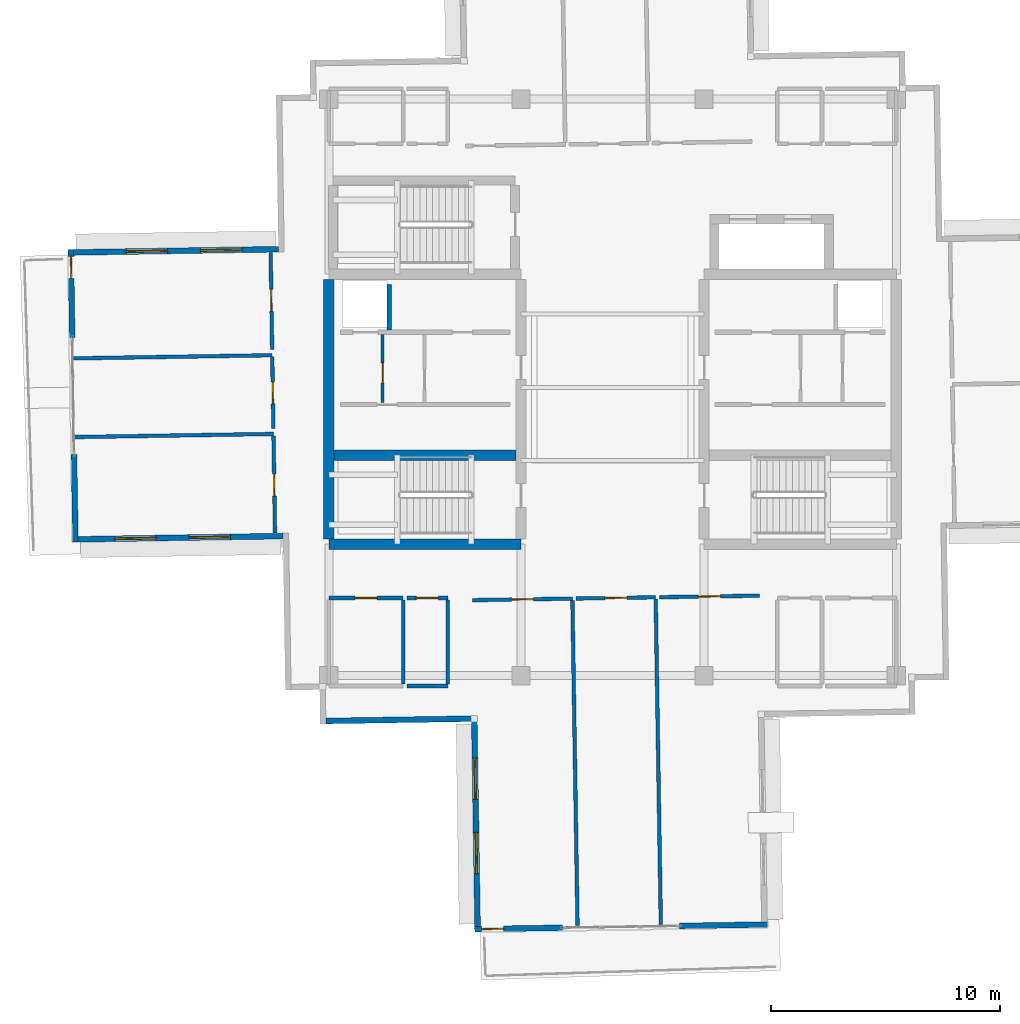
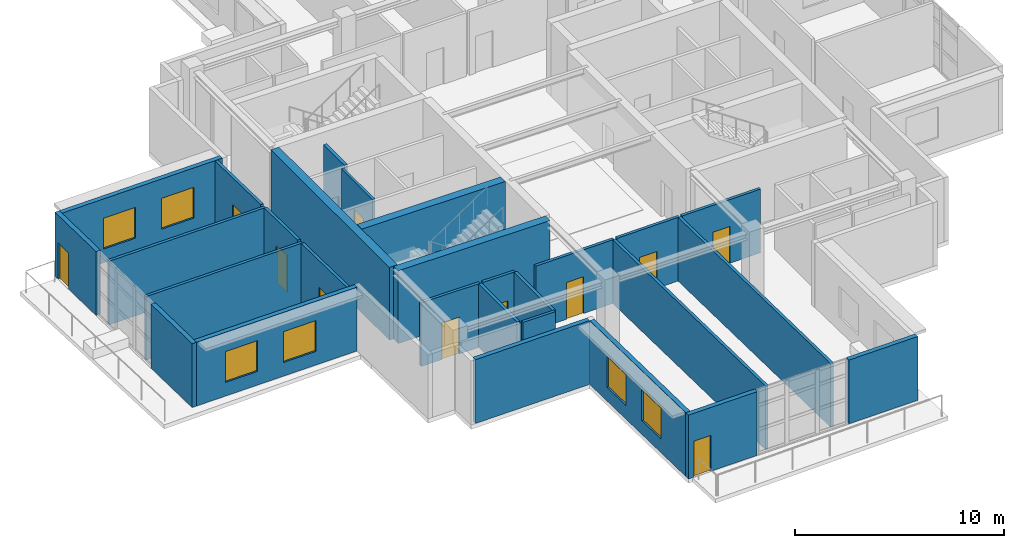
# One storey, part 10 of 18: 28 walls, 11 doors, 6 windows, 17 openings.
"""IFC4 building model written with IfcOpenShell, lengths in metres."""

import ifcopenshell
import ifcopenshell.guid

model = None  # the IFC model being written
_history = None  # IfcOwnerHistory: only IFC2X3 demands one
_inside = {}  # id of a spatial element -> (the spatial element, [elements in it])
_under = {}  # id of a project, library or spatial element -> (it, [spatial elements below it])
_declared = {}  # id of a project -> (the project, [libraries it declares])
_typed = {}  # id of a type object -> (the type object, [elements of that type])
_made_of = {}  # id of a material, layer set ... -> (it, [elements and type objects made of it])


def new_model(schema):
    """Start an empty IFC model of exactly this schema.

    Asked for "IFC4X3", IfcOpenShell would pick the latest addendum, in which some entities
    have other attributes; the version numbers below select the first issue.
    IFC2X3 requires an IfcOwnerHistory on every rooted entity: one is made here for all.
    """
    global model, _history
    if schema == "IFC4X3":
        model = ifcopenshell.file(schema_version=(4, 3, 0, 0))
    else:
        model = ifcopenshell.file(schema=schema)
    _inside.clear()
    _under.clear()
    _declared.clear()
    _typed.clear()
    _made_of.clear()
    _history = None
    if model.schema == "IFC2X3":
        org = make("IfcOrganization", Name="unknown")
        user = make(
            "IfcPersonAndOrganization",
            ThePerson=make("IfcPerson", FamilyName="unknown"),
            TheOrganization=org,
        )
        app = make(
            "IfcApplication",
            ApplicationDeveloper=org,
            Version="unknown",
            ApplicationFullName="unknown",
            ApplicationIdentifier="unknown",
        )
        _history = make(
            "IfcOwnerHistory",
            OwningUser=user,
            OwningApplication=app,
            ChangeAction="ADDED",
            CreationDate=0,
        )
    return model


def make(cls, **values):
    """One entity of the class cls with the attributes given. An attribute that is None is left unset."""
    return model.create_entity(
        cls, **{name: value for name, value in values.items() if value is not None}
    )


def rooted(cls, **values):
    """An entity with a GlobalId (a new one), such as an element, a storey or a relation."""
    return make(cls, GlobalId=ifcopenshell.guid.new(), OwnerHistory=_history, **values)


def si_unit(unit_type, name, prefix=None):
    """IfcSIUnit, for example si_unit("LENGTHUNIT", "METRE", prefix="MILLI")."""
    return make("IfcSIUnit", UnitType=unit_type, Prefix=prefix, Name=name)


def assignment(units):
    """IfcUnitAssignment: the units of a project."""
    return None if units is None else make("IfcUnitAssignment", Units=units)


def point(xyz):
    """IfcCartesianPoint."""
    return None if xyz is None else make("IfcCartesianPoint", Coordinates=xyz)


def direction(xyz):
    """IfcDirection."""
    return None if xyz is None else make("IfcDirection", DirectionRatios=xyz)


def frame(location, z_axis=None, x_axis=None):
    """IfcAxis2Placement3D, a coordinate frame: its origin and axes. An axis left out is left unset."""
    return make(
        "IfcAxis2Placement3D",
        Location=point(location),
        Axis=direction(z_axis),
        RefDirection=direction(x_axis),
    )


def frame_2d(location, x_axis=None):
    """IfcAxis2Placement2D, a coordinate frame in the plane: its origin and x axis."""
    return make(
        "IfcAxis2Placement2D", Location=point(location), RefDirection=direction(x_axis)
    )


def origin():
    """The frame at (0, 0, 0) with its axes left unset."""
    return frame((0.0, 0.0, 0.0))


def place(relative_to, where):
    """IfcLocalPlacement: puts the frame where relative to a parent placement (None: the world)."""
    return make(
        "IfcLocalPlacement", PlacementRelTo=relative_to, RelativePlacement=where
    )


def context(
    kind, dimensions, precision=None, world=None, true_north=None, identifier=None
):
    """IfcGeometricRepresentationContext, for example the 3D "Model" context."""
    return make(
        "IfcGeometricRepresentationContext",
        ContextIdentifier=identifier,
        ContextType=kind,
        CoordinateSpaceDimension=dimensions,
        Precision=precision,
        WorldCoordinateSystem=world,
        TrueNorth=true_north,
    )


def subcontext(parent, identifier, kind, view, scale=None):
    """IfcGeometricRepresentationSubContext, for example "Body" below "Model"."""
    return make(
        "IfcGeometricRepresentationSubContext",
        ContextIdentifier=identifier,
        ContextType=kind,
        ParentContext=parent,
        TargetScale=scale,
        TargetView=view,
    )


def project(units=None, contexts=None):
    """IfcProject with its units and contexts."""
    return rooted(
        "IfcProject",
        Name="project",
        RepresentationContexts=contexts,
        UnitsInContext=assignment(units),
    )


def spatial(cls, under=None, at=None, **own):
    """A site, building, storey or space (cls), placed at a placement, below another one or the project."""
    s = rooted(cls, ObjectPlacement=at, **own)
    if under is not None:
        _under.setdefault(under.id(), (under, []))[1].append(s)
    return s


def profile(cls, at=None, kind="AREA", **sizes):
    """A parametric profile (cls). Its sizes go by their IFC names, for example OverallWidth=200.0."""
    return make(cls, ProfileType=kind, Position=at, **sizes)


def rectangle(**sizes):
    """IfcRectangleProfileDef."""
    return profile("IfcRectangleProfileDef", **sizes)


def extrude(swept, where, along, depth):
    """IfcExtrudedAreaSolid: the profile swept, set in the frame where, extruded along a direction by depth."""
    return make(
        "IfcExtrudedAreaSolid",
        SweptArea=swept,
        Position=where,
        ExtrudedDirection=direction(along),
        Depth=depth,
    )


def shape(context_of_items, identifier, shape_type, items):
    """IfcShapeRepresentation: the items that make up one representation, for example the "Body"."""
    return make(
        "IfcShapeRepresentation",
        ContextOfItems=context_of_items,
        RepresentationIdentifier=identifier,
        RepresentationType=shape_type,
        Items=items,
    )


def material(Name=None, Category=None):
    """IfcMaterial."""
    return make("IfcMaterial", Name=Name, Category=Category)


def layer(
    of_material, thickness, ventilated=None, Name=None, Category=None, Priority=None
):
    """IfcMaterialLayer: one layer of a wall or slab, of a material (None: an air gap)."""
    return make(
        "IfcMaterialLayer",
        Material=of_material,
        LayerThickness=thickness,
        IsVentilated=ventilated,
        Name=Name,
        Category=Category,
        Priority=Priority,
    )


def layer_set(layers, Name=None):
    """IfcMaterialLayerSet."""
    return make("IfcMaterialLayerSet", MaterialLayers=layers, LayerSetName=Name)


def made_of(thing, what):
    """Note that an element or type object is made of a material, layer set ...; save() writes the relation."""
    if what is not None:
        _made_of.setdefault(what.id(), (what, []))[1].append(thing)
    return thing


def type_object(cls, material=None, **own):
    """A type object (cls), such as IfcWallType, which elements share."""
    return made_of(rooted(cls, **own), material)


def element(
    cls,
    number,
    at=None,
    inside=None,
    cuts=None,
    type_object=None,
    material=None,
    context=None,
    identifier="Body",
    shape_type=None,
    held_by="IfcProductDefinitionShape",
    body=None,
    shapes=None,
    **own,
):
    """One element of the class cls, such as IfcWall. Its Tag is "e" and its number.

    at: its placement. inside: the storey or other place that contains it. cuts: it is an
    opening in that element (IfcRelVoidsElement). A single representation is given by context,
    identifier, shape_type and body (its items); several are given by shapes. held_by: the class
    of the entity that holds the representations. save() writes the other relations.
    """
    e = rooted(cls, Tag="e%d" % number, ObjectPlacement=at, **own)
    if body is not None:
        shapes = [shape(context, identifier, shape_type, body)]
    if shapes is not None:
        e.Representation = make(held_by, Representations=shapes)
    if inside is not None:
        _inside.setdefault(inside.id(), (inside, []))[1].append(e)
    if cuts is not None:
        rooted(
            "IfcRelVoidsElement", RelatingBuildingElement=cuts, RelatedOpeningElement=e
        )
    if type_object is not None:
        _typed.setdefault(type_object.id(), (type_object, []))[1].append(e)
    return made_of(e, material)


def fill(opening, filler):
    """IfcRelFillsElement: the door or window that sits in an opening."""
    return rooted(
        "IfcRelFillsElement",
        RelatingOpeningElement=opening,
        RelatedBuildingElement=filler,
    )


def aggregate(whole, parts):
    """IfcRelAggregates: a whole, such as a stair, and the parts it consists of."""
    return rooted("IfcRelAggregates", RelatingObject=whole, RelatedObjects=parts)


def save(model, path):
    """Write the relations noted so far, then the file.

    IfcRelAggregates (storeys below a building ...), IfcRelContainedInSpatialStructure (elements
    in a storey), IfcRelDefinesByType, IfcRelAssociatesMaterial and IfcRelDeclares: one each for
    every whole, place, type object, material and project.
    """
    for whole, parts in _under.values():
        aggregate(whole, parts)
    for where, things in _inside.values():
        rooted(
            "IfcRelContainedInSpatialStructure",
            RelatedElements=things,
            RelatingStructure=where,
        )
    for kind, things in _typed.values():
        rooted("IfcRelDefinesByType", RelatedObjects=things, RelatingType=kind)
    for what, things in _made_of.values():
        rooted("IfcRelAssociatesMaterial", RelatedObjects=things, RelatingMaterial=what)
    for by, libraries in _declared.values():
        rooted("IfcRelDeclares", RelatingContext=by, RelatedDefinitions=libraries)
    model.write(path)


model = new_model("IFC4")

# Units and contexts
model_context = context("Model", 3, precision=1e-05, world=origin(), true_north=direction((0.0, 1.0)))
body_context = subcontext(model_context, "Body", "Model", "MODEL_VIEW")
ifc_project = project(units=[si_unit("LENGTHUNIT", "METRE"), si_unit("AREAUNIT", "SQUARE_METRE"), si_unit("VOLUMEUNIT", "CUBIC_METRE"), si_unit("PLANEANGLEUNIT", "RADIAN"), si_unit("MASSUNIT", "GRAM", prefix="KILO")], contexts=[model_context])

# Site, building, storey
site_placement = place(None, origin())
site = spatial("IfcSite", under=ifc_project, at=site_placement, CompositionType="ELEMENT")
building_placement = place(site_placement, origin())
building = spatial("IfcBuilding", under=site, at=building_placement, Name="Qingluan Cross Belvedere", CompositionType="ELEMENT")
storey_placement = place(building_placement, frame((0.0, 0.0, 303.89990234375)))
storey = spatial("IfcBuildingStorey", under=building, at=storey_placement, Name="L75", CompositionType="ELEMENT", Elevation=303.89990234375)

# Walls
ifc_material_1 = material(Name="Concrete C50", Category="concrete")
ifc_layer_1 = layer(ifc_material_1, 0.449951171875, Name="CoreShearWall_450")
ifc_layer_set_1 = layer_set([ifc_layer_1], Name="Concrete C50")
wall_type_1 = type_object("IfcWallType", Name="CoreShearWall_450", PredefinedType="SHEAR", material=ifc_layer_set_1)
wall_1_placement = place(storey_placement, frame((-12.39990234375, -6.85009765625, 0.0), z_axis=(0.0, 0.0, 1.0), x_axis=(1.0, 0.0, 0.0)))
element("IfcWall", 1, at=wall_1_placement, inside=storey, type_object=wall_type_1, Name="Split core W shear wall L75-S", PredefinedType="SHEAR", context=body_context, shape_type="SweptSolid", body=[
    extrude(rectangle(XDim=8.39990234375, YDim=0.449951171875, at=frame_2d((4.199951171875, 0.0))), origin(), (0.0, 0.0, 1.0), 4.25),
])
wall_2_placement = place(storey_placement, frame((-12.39990234375, -6.6201171875, 0.0), z_axis=(0.0, 0.0, 1.0), x_axis=(0.0, 1.0, 0.0)))
element("IfcWall", 2, at=wall_2_placement, inside=storey, type_object=wall_type_1, Name="Split core W shear wall L75-W", PredefinedType="SHEAR", context=body_context, shape_type="SweptSolid", body=[
    extrude(rectangle(XDim=11.340087890625, YDim=0.449951171875, at=frame_2d((5.669921875, 0.0))), origin(), (0.0, 0.0, 1.0), 4.25),
])
wall_3_placement = place(storey_placement, frame((-12.169921875, -2.9599609375, 0.0), z_axis=(0.0, 0.0, 1.0), x_axis=(1.0, 0.0, 0.0)))
element("IfcWall", 3, at=wall_3_placement, inside=storey, type_object=wall_type_1, Name="Split core W shear wall L75-M", PredefinedType="SHEAR", context=body_context, shape_type="SweptSolid", body=[
    extrude(rectangle(XDim=7.93994140625, YDim=0.449951171875, at=frame_2d((3.969970703125, 0.0))), origin(), (0.0, 0.0, 1.0), 4.25),
])

# Wall, opening, door
ifc_material_2 = material(Name="Gypsum plasterboard on steel stud acoustic partition", Category="steel")
ifc_layer_2 = layer(ifc_material_2, 0.159912109375, Name="CorridorPartition_160")
ifc_layer_set_2 = layer_set([ifc_layer_2], Name="Gypsum plasterboard on steel stud acoustic partition")
wall_type_2 = type_object("IfcWallType", Name="CorridorPartition_160", PredefinedType="PARTITIONING", material=ifc_layer_set_2)
wall_4_placement = place(storey_placement, frame((-10.050048828125, -0.652099609375, 0.0), z_axis=(0.0, 0.0, 1.0), x_axis=(0.0, 1.0, 0.0)))
wall_4 = element("IfcWall", 4, at=wall_4_placement, inside=storey, type_object=wall_type_2, Name="Partition L75:wv", PredefinedType="PARTITIONING", context=body_context, shape_type="SweptSolid", body=[
    extrude(rectangle(XDim=2.962158203125, YDim=0.139892578125, at=frame_2d((1.48095703125, 0.0))), origin(), (0.0, 0.0, 1.0), 3.72021484375),
])
opening_1_placement = place(wall_4_placement, frame((0.85009765625, 0.0, 0.0)))
opening_1 = element("IfcOpeningElement", 5, at=opening_1_placement, cuts=wall_4, Name="Opening FD-B10", PredefinedType="OPENING", context=body_context, shape_type="SweptSolid", body=[
    extrude(rectangle(XDim=0.8798828125, YDim=2.10009765625, at=frame_2d((0.43994140625, 1.050048828125))), frame((0.0, 0.079833984375, 0.0), z_axis=(0.0, -1.0, 0.0), x_axis=(1.0, 0.0, 0.0)), (0.0, 0.0, 1.0), 0.159912109375),
])
ifc_material_3 = material(Name="Steel Class B service fire door", Category="steel")
door_type_1 = type_object("IfcDoorType", Name="RiserServiceFireDoor_FDB", OperationType="NOTDEFINED", PredefinedType="DOOR", material=ifc_material_3)
door_1_placement = place(opening_1_placement, origin())
door_1 = element("IfcDoor", 6, at=door_1_placement, inside=storey, type_object=door_type_1, Name="Service closet inner door L75", OperationType="SINGLE_SWING_RIGHT", OverallHeight=2.10009765625, OverallWidth=0.8798828125, PredefinedType="DOOR", context=body_context, shape_type="SweptSolid", body=[
    extrude(rectangle(XDim=0.8798828125, YDim=2.10009765625, at=frame_2d((0.43994140625, 1.050048828125))), frame((0.0, 0.02490234375, 0.0), z_axis=(0.0, -1.0, 0.0), x_axis=(1.0, 0.0, 0.0)), (0.0, 0.0, 1.0), 0.050048828125),
])
fill(opening_1, door_1)

wall_5_placement = place(storey_placement, frame((-6.124755859375, -9.29736328125, 0.0), z_axis=(0.0, 0.0, 1.0), x_axis=(0.999876762784, 0.015699020525, 0.0)))
wall_5 = element("IfcWall", 7, at=wall_5_placement, inside=storey, type_object=wall_type_2, Name="Partition L75:sr_s1:N", PredefinedType="PARTITIONING", context=body_context, shape_type="SweptSolid", body=[
    extrude(rectangle(XDim=4.369873046875, YDim=0.159912109375, at=frame_2d((2.18505859375, 0.0))), origin(), (0.0, 0.0, 1.0), 3.72021484375),
])
opening_2_placement = place(wall_5_placement, frame((1.705078125, 0.0, 0.0)))
opening_2 = element("IfcOpeningElement", 8, at=opening_2_placement, cuts=wall_5, Name="Opening GD-10", PredefinedType="OPENING", context=body_context, shape_type="SweptSolid", body=[
    extrude(rectangle(XDim=0.9599609375, YDim=2.14990234375, at=frame_2d((0.47998046875, 1.074951171875))), frame((0.0, 0.08984375, 0.0), z_axis=(0.0, -1.0, 0.0), x_axis=(1.0, 0.0, 0.0)), (0.0, 0.0, 1.0), 0.179931640625),
])
ifc_material_4 = material(Name="Timber oak fire-rated acoustic guestroom door", Category="wood")
door_type_2 = type_object("IfcDoorType", Name="GuestEntryDoor_FD60", OperationType="NOTDEFINED", PredefinedType="DOOR", material=ifc_material_4)
door_2_placement = place(opening_2_placement, origin())
door_2 = element("IfcDoor", 9, at=door_2_placement, inside=storey, type_object=door_type_2, Name="Lower Yangtze dining salon A L75 door", OperationType="SINGLE_SWING_LEFT", OverallHeight=2.14990234375, OverallWidth=0.9599609375, PredefinedType="DOOR", context=body_context, shape_type="SweptSolid", body=[
    extrude(rectangle(XDim=0.9599609375, YDim=2.14990234375, at=frame_2d((0.47998046875, 1.074951171875))), frame((0.0, 0.02490234375, 0.0), z_axis=(0.0, -1.0, 0.0), x_axis=(1.0, 0.0, 0.0)), (0.0, 0.0, 1.0), 0.050048828125),
])
fill(opening_2, door_2)

# Wall
wall_6_placement = place(storey_placement, frame((-1.53076171875, -23.52197265625, 0.0), z_axis=(0.0, 0.0, 1.0), x_axis=(-0.015703340364, 0.999876694949, 0.0)))
element("IfcWall", 10, at=wall_6_placement, inside=storey, type_object=wall_type_2, Name="Partition L75:sr_s1:E", PredefinedType="PARTITIONING", context=body_context, shape_type="SweptSolid", body=[
    extrude(rectangle(XDim=14.2099609375, YDim=0.159912109375, at=frame_2d((7.10498046875, 0.0))), origin(), (0.0, 0.0, 1.0), 3.72021484375),
])

# Wall, opening, door
wall_7_placement = place(storey_placement, frame((-1.59521484375, -9.226318359375, 0.0), z_axis=(0.0, 0.0, 1.0), x_axis=(0.999875404533, 0.015785290908, 0.0)))
wall_7 = element("IfcWall", 11, at=wall_7_placement, inside=storey, type_object=wall_type_2, Name="Partition L75:sr_s2:N", PredefinedType="PARTITIONING", context=body_context, shape_type="SweptSolid", body=[
    extrude(rectangle(XDim=3.47998046875, YDim=0.159912109375, at=frame_2d((1.739990234375, 0.0))), origin(), (0.0, 0.0, 1.0), 3.72021484375),
])
opening_3_placement = place(wall_7_placement, frame((1.260009765625, 0.0, 0.0)))
opening_3 = element("IfcOpeningElement", 12, at=opening_3_placement, cuts=wall_7, Name="Opening GD-10", PredefinedType="OPENING", context=body_context, shape_type="SweptSolid", body=[
    extrude(rectangle(XDim=0.9599609375, YDim=2.14990234375, at=frame_2d((0.47998046875, 1.074951171875))), frame((0.0, 0.08984375, 0.0), z_axis=(0.0, -1.0, 0.0), x_axis=(1.0, 0.0, 0.0)), (0.0, 0.0, 1.0), 0.179931640625),
])
door_3_placement = place(opening_3_placement, origin())
door_3 = element("IfcDoor", 13, at=door_3_placement, inside=storey, type_object=door_type_2, Name="Lower Yangtze dining salon B L75 door", OperationType="SINGLE_SWING_RIGHT", OverallHeight=2.14990234375, OverallWidth=0.9599609375, PredefinedType="DOOR", context=body_context, shape_type="SweptSolid", body=[
    extrude(rectangle(XDim=0.9599609375, YDim=2.14990234375, at=frame_2d((0.47998046875, 1.074951171875))), frame((0.0, 0.02490234375, 0.0), z_axis=(0.0, -1.0, 0.0), x_axis=(1.0, 0.0, 0.0)), (0.0, 0.0, 1.0), 0.050048828125),
])
fill(opening_3, door_3)

# Wall
wall_8_placement = place(storey_placement, frame((2.10888671875, -23.46484375, 0.0), z_axis=(0.0, 0.0, 1.0), x_axis=(-0.015720517018, 0.999876425037, 0.0)))
element("IfcWall", 14, at=wall_8_placement, inside=storey, type_object=wall_type_2, Name="Partition L75:sr_s2:E", PredefinedType="PARTITIONING", context=body_context, shape_type="SweptSolid", body=[
    extrude(rectangle(XDim=14.2099609375, YDim=0.159912109375, at=frame_2d((7.10498046875, 0.0))), origin(), (0.0, 0.0, 1.0), 3.72021484375),
])

# Wall, opening, door
wall_9_placement = place(storey_placement, frame((2.044189453125, -9.1689453125, 0.0), z_axis=(0.0, 0.0, 1.0), x_axis=(0.999876776552, 0.015698143603, 0.0)))
wall_9 = element("IfcWall", 15, at=wall_9_placement, inside=storey, type_object=wall_type_2, Name="Partition L75:sr_s3:N", PredefinedType="PARTITIONING", context=body_context, shape_type="SweptSolid", body=[
    extrude(rectangle(XDim=4.3701171875, YDim=0.159912109375, at=frame_2d((2.18505859375, 0.0))), origin(), (0.0, 0.0, 1.0), 3.72021484375),
])
opening_4_placement = place(wall_9_placement, frame((1.705078125, 0.0, 0.0)))
opening_4 = element("IfcOpeningElement", 16, at=opening_4_placement, cuts=wall_9, Name="Opening GD-10", PredefinedType="OPENING", context=body_context, shape_type="SweptSolid", body=[
    extrude(rectangle(XDim=0.9599609375, YDim=2.14990234375, at=frame_2d((0.47998046875, 1.074951171875))), frame((0.0, 0.08984375, 0.0), z_axis=(0.0, -1.0, 0.0), x_axis=(1.0, 0.0, 0.0)), (0.0, 0.0, 1.0), 0.179931640625),
])
door_4_placement = place(opening_4_placement, origin())
door_4 = element("IfcDoor", 17, at=door_4_placement, inside=storey, type_object=door_type_2, Name="Lower Yangtze dining salon C L75 door", OperationType="SINGLE_SWING_LEFT", OverallHeight=2.14990234375, OverallWidth=0.9599609375, PredefinedType="DOOR", context=body_context, shape_type="SweptSolid", body=[
    extrude(rectangle(XDim=0.9599609375, YDim=2.14990234375, at=frame_2d((0.47998046875, 1.074951171875))), frame((0.0, 0.02490234375, 0.0), z_axis=(0.0, -1.0, 0.0), x_axis=(1.0, 0.0, 0.0)), (0.0, 0.0, 1.0), 0.050048828125),
])
fill(opening_4, door_4)

# Wall
wall_10_placement = place(storey_placement, frame((-23.548828125, -2.170166015625, 0.0), z_axis=(0.0, 0.0, 1.0), x_axis=(0.999876486936, 0.015716579562, 0.0)))
element("IfcWall", 18, at=wall_10_placement, inside=storey, type_object=wall_type_2, Name="Partition L75:sr_k1:N", PredefinedType="PARTITIONING", context=body_context, shape_type="SweptSolid", body=[
    extrude(rectangle(XDim=8.72998046875, YDim=0.159912109375, at=frame_2d((4.364990234375, 0.0))), origin(), (0.0, 0.0, 1.0), 3.72021484375),
])

# Wall, opening, door
wall_11_placement = place(storey_placement, frame((-14.751708984375, -6.369384765625, 0.0), z_axis=(0.0, 0.0, 1.0), x_axis=(-0.015732519165, 0.999876236262, 0.0)))
wall_11 = element("IfcWall", 19, at=wall_11_placement, inside=storey, type_object=wall_type_2, Name="Partition L75:sr_k1:E", PredefinedType="PARTITIONING", context=body_context, shape_type="SweptSolid", body=[
    extrude(rectangle(XDim=4.251953125, YDim=0.159912109375, at=frame_2d((2.1259765625, 0.0))), origin(), (0.0, 0.0, 1.0), 3.72021484375),
])
opening_5_placement = place(wall_11_placement, frame((1.6220703125, 0.0, 0.0)))
opening_5 = element("IfcOpeningElement", 20, at=opening_5_placement, cuts=wall_11, Name="Opening GD-10", PredefinedType="OPENING", context=body_context, shape_type="SweptSolid", body=[
    extrude(rectangle(XDim=0.9599609375, YDim=2.14990234375, at=frame_2d((0.47998046875, 1.074951171875))), frame((0.0, 0.08984375, 0.0), z_axis=(0.0, -1.0, 0.0), x_axis=(1.0, 0.0, 0.0)), (0.0, 0.0, 1.0), 0.179931640625),
])
door_5_placement = place(opening_5_placement, origin())
door_5 = element("IfcDoor", 21, at=door_5_placement, inside=storey, type_object=door_type_2, Name="Lower restaurant hot kitchen L75 door", OperationType="SINGLE_SWING_RIGHT", OverallHeight=2.14990234375, OverallWidth=0.9599609375, PredefinedType="DOOR", context=body_context, shape_type="SweptSolid", body=[
    extrude(rectangle(XDim=0.9599609375, YDim=2.14990234375, at=frame_2d((0.47998046875, 1.074951171875))), frame((0.0, 0.02490234375, 0.0), z_axis=(0.0, -1.0, 0.0), x_axis=(1.0, 0.0, 0.0)), (0.0, 0.0, 1.0), 0.050048828125),
])
fill(opening_5, door_5)

# Wall
wall_12_placement = place(storey_placement, frame((-23.602783203125, 1.269287109375, 0.0), z_axis=(0.0, 0.0, 1.0), x_axis=(0.999876486936, 0.015716579562, 0.0)))
element("IfcWall", 22, at=wall_12_placement, inside=storey, type_object=wall_type_2, Name="Partition L75:sr_k2:N", PredefinedType="PARTITIONING", context=body_context, shape_type="SweptSolid", body=[
    extrude(rectangle(XDim=8.72998046875, YDim=0.159912109375, at=frame_2d((4.364990234375, 0.0))), origin(), (0.0, 0.0, 1.0), 3.72021484375),
])

# Wall, opening, door
wall_13_placement = place(storey_placement, frame((-14.82373046875, -1.7880859375, 0.0), z_axis=(0.0, 0.0, 1.0), x_axis=(-0.015700349249, 0.99987674192, 0.0)))
wall_13 = element("IfcWall", 23, at=wall_13_placement, inside=storey, type_object=wall_type_2, Name="Partition L75:sr_k2:E", PredefinedType="PARTITIONING", context=body_context, shape_type="SweptSolid", body=[
    extrude(rectangle(XDim=3.110107421875, YDim=0.159912109375, at=frame_2d((1.55517578125, 0.0))), origin(), (0.0, 0.0, 1.0), 3.72021484375),
])
opening_6_placement = place(wall_13_placement, frame((1.074951171875, 0.0, 0.0)))
opening_6 = element("IfcOpeningElement", 24, at=opening_6_placement, cuts=wall_13, Name="Opening GD-10", PredefinedType="OPENING", context=body_context, shape_type="SweptSolid", body=[
    extrude(rectangle(XDim=0.9599609375, YDim=2.14990234375, at=frame_2d((0.47998046875, 1.074951171875))), frame((0.0, 0.08984375, 0.0), z_axis=(0.0, -1.0, 0.0), x_axis=(1.0, 0.0, 0.0)), (0.0, 0.0, 1.0), 0.179931640625),
])
door_6_placement = place(opening_6_placement, origin())
door_6 = element("IfcDoor", 25, at=door_6_placement, inside=storey, type_object=door_type_2, Name="Lower cold larder kitchen L75 door", OperationType="SINGLE_SWING_LEFT", OverallHeight=2.14990234375, OverallWidth=0.9599609375, PredefinedType="DOOR", context=body_context, shape_type="SweptSolid", body=[
    extrude(rectangle(XDim=0.9599609375, YDim=2.14990234375, at=frame_2d((0.47998046875, 1.074951171875))), frame((0.0, 0.02490234375, 0.0), z_axis=(0.0, -1.0, 0.0), x_axis=(1.0, 0.0, 0.0)), (0.0, 0.0, 1.0), 0.050048828125),
])
fill(opening_6, door_6)

wall_14_placement = place(storey_placement, frame((-14.877685546875, 1.651611328125, 0.0), z_axis=(0.0, 0.0, 1.0), x_axis=(-0.015732519165, 0.999876236262, 0.0)))
wall_14 = element("IfcWall", 26, at=wall_14_placement, inside=storey, type_object=wall_type_2, Name="Partition L75:sr_k3:E", PredefinedType="PARTITIONING", context=body_context, shape_type="SweptSolid", body=[
    extrude(rectangle(XDim=4.251953125, YDim=0.159912109375, at=frame_2d((2.1259765625, 0.0))), origin(), (0.0, 0.0, 1.0), 3.72021484375),
])
opening_7_placement = place(wall_14_placement, frame((1.669921875, 0.0, 0.0)))
opening_7 = element("IfcOpeningElement", 27, at=opening_7_placement, cuts=wall_14, Name="Opening GD-10", PredefinedType="OPENING", context=body_context, shape_type="SweptSolid", body=[
    extrude(rectangle(XDim=0.9599609375, YDim=2.14990234375, at=frame_2d((0.47998046875, 1.074951171875))), frame((0.0, 0.08984375, 0.0), z_axis=(0.0, -1.0, 0.0), x_axis=(1.0, 0.0, 0.0)), (0.0, 0.0, 1.0), 0.179931640625),
])
door_7_placement = place(opening_7_placement, origin())
door_7 = element("IfcDoor", 28, at=door_7_placement, inside=storey, type_object=door_type_2, Name="Lower pastry servery pantry L75 door", OperationType="SINGLE_SWING_RIGHT", OverallHeight=2.14990234375, OverallWidth=0.9599609375, PredefinedType="DOOR", context=body_context, shape_type="SweptSolid", body=[
    extrude(rectangle(XDim=0.9599609375, YDim=2.14990234375, at=frame_2d((0.47998046875, 1.074951171875))), frame((0.0, 0.02490234375, 0.0), z_axis=(0.0, -1.0, 0.0), x_axis=(1.0, 0.0, 0.0)), (0.0, 0.0, 1.0), 0.050048828125),
])
fill(opening_7, door_7)

wall_15_placement = place(storey_placement, frame((-12.39990234375, -9.199951171875, 0.0), z_axis=(0.0, 0.0, 1.0), x_axis=(1.0, 0.0, 0.0)))
wall_15 = element("IfcWall", 29, at=wall_15_placement, inside=storey, type_object=wall_type_2, Name="Partition L75:crown_sw1:N", PredefinedType="PARTITIONING", context=body_context, shape_type="SweptSolid", body=[
    extrude(rectangle(XDim=3.25, YDim=0.159912109375, at=frame_2d((1.625, 0.0))), origin(), (0.0, 0.0, 1.0), 3.72021484375),
])
opening_8_placement = place(wall_15_placement, frame((1.14501953125, 0.0, 0.0)))
opening_8 = element("IfcOpeningElement", 30, at=opening_8_placement, cuts=wall_15, Name="Opening GD-10", PredefinedType="OPENING", context=body_context, shape_type="SweptSolid", body=[
    extrude(rectangle(XDim=0.9599609375, YDim=2.14990234375, at=frame_2d((0.47998046875, 1.074951171875))), frame((0.0, 0.08984375, 0.0), z_axis=(0.0, -1.0, 0.0), x_axis=(1.0, 0.0, 0.0)), (0.0, 0.0, 1.0), 0.179931640625),
])
door_8_placement = place(opening_8_placement, origin())
door_8 = element("IfcDoor", 31, at=door_8_placement, inside=storey, type_object=door_type_2, Name="Lower private dining suite W L75 door", OperationType="SINGLE_SWING_LEFT", OverallHeight=2.14990234375, OverallWidth=0.9599609375, PredefinedType="DOOR", context=body_context, shape_type="SweptSolid", body=[
    extrude(rectangle(XDim=0.9599609375, YDim=2.14990234375, at=frame_2d((0.47998046875, 1.074951171875))), frame((0.0, 0.02490234375, 0.0), z_axis=(0.0, -1.0, 0.0), x_axis=(1.0, 0.0, 0.0)), (0.0, 0.0, 1.0), 0.050048828125),
])
fill(opening_8, door_8)

# Walls
wall_16_placement = place(storey_placement, frame((-9.14990234375, -12.965087890625, 0.0), z_axis=(0.0, 0.0, 1.0), x_axis=(0.0, 1.0, 0.0)))
element("IfcWall", 32, at=wall_16_placement, inside=storey, type_object=wall_type_2, Name="Partition L75:crown_sw1:E", PredefinedType="PARTITIONING", context=body_context, shape_type="SweptSolid", body=[
    extrude(rectangle(XDim=3.68017578125, YDim=0.159912109375, at=frame_2d((1.840087890625, 0.0))), origin(), (0.0, 0.0, 1.0), 3.72021484375),
])
wall_17_placement = place(storey_placement, frame((-8.989990234375, -13.050048828125, 0.0), z_axis=(0.0, 0.0, 1.0), x_axis=(1.0, 0.0, 0.0)))
element("IfcWall", 33, at=wall_17_placement, inside=storey, type_object=wall_type_2, Name="Partition L75:crown_sw2:S", PredefinedType="PARTITIONING", context=body_context, shape_type="SweptSolid", body=[
    extrude(rectangle(XDim=1.7900390625, YDim=0.159912109375, at=frame_2d((0.89501953125, 0.0))), origin(), (0.0, 0.0, 1.0), 3.72021484375),
])

# Wall, opening, door
wall_18_placement = place(storey_placement, frame((-8.989990234375, -9.199951171875, 0.0), z_axis=(0.0, 0.0, 1.0), x_axis=(1.0, 0.0, 0.0)))
wall_18 = element("IfcWall", 34, at=wall_18_placement, inside=storey, type_object=wall_type_2, Name="Partition L75:crown_sw2:N", PredefinedType="PARTITIONING", context=body_context, shape_type="SweptSolid", body=[
    extrude(rectangle(XDim=1.7900390625, YDim=0.159912109375, at=frame_2d((0.89501953125, 0.0))), origin(), (0.0, 0.0, 1.0), 3.72021484375),
])
opening_9_placement = place(wall_18_placement, frame((0.4150390625, 0.0, 0.0)))
opening_9 = element("IfcOpeningElement", 35, at=opening_9_placement, cuts=wall_18, Name="Opening GD-10", PredefinedType="OPENING", context=body_context, shape_type="SweptSolid", body=[
    extrude(rectangle(XDim=0.9599609375, YDim=2.14990234375, at=frame_2d((0.47998046875, 1.074951171875))), frame((0.0, 0.08984375, 0.0), z_axis=(0.0, -1.0, 0.0), x_axis=(1.0, 0.0, 0.0)), (0.0, 0.0, 1.0), 0.179931640625),
])
door_9_placement = place(opening_9_placement, origin())
door_9 = element("IfcDoor", 36, at=door_9_placement, inside=storey, type_object=door_type_2, Name="Lower private dining suite C L75 door", OperationType="SINGLE_SWING_RIGHT", OverallHeight=2.14990234375, OverallWidth=0.9599609375, PredefinedType="DOOR", context=body_context, shape_type="SweptSolid", body=[
    extrude(rectangle(XDim=0.9599609375, YDim=2.14990234375, at=frame_2d((0.47998046875, 1.074951171875))), frame((0.0, 0.02490234375, 0.0), z_axis=(0.0, -1.0, 0.0), x_axis=(1.0, 0.0, 0.0)), (0.0, 0.0, 1.0), 0.050048828125),
])
fill(opening_9, door_9)

# Wall
wall_19_placement = place(storey_placement, frame((-7.199951171875, -12.965087890625, 0.0), z_axis=(0.0, 0.0, 1.0), x_axis=(0.0, 1.0, 0.0)))
element("IfcWall", 37, at=wall_19_placement, inside=storey, type_object=wall_type_2, Name="Partition L75:crown_sw2:E", PredefinedType="PARTITIONING", context=body_context, shape_type="SweptSolid", body=[
    extrude(rectangle(XDim=3.68017578125, YDim=0.159912109375, at=frame_2d((1.840087890625, 0.0))), origin(), (0.0, 0.0, 1.0), 3.72021484375),
])

# Wall, openings, windows
ifc_material_5 = material(Name="Precast concrete C45", Category="concrete")
ifc_layer_3 = layer(ifc_material_5, 0.25, Name="PrecastCrownWall_250")
ifc_layer_set_3 = layer_set([ifc_layer_3], Name="Precast concrete C45")
wall_type_3 = type_object("IfcWallType", Name="PrecastCrownWall_250", PredefinedType="STANDARD", material=ifc_layer_set_3)
wall_20_placement = place(storey_placement, frame((-14.601806640625, 6.04150390625, 0.0), z_axis=(0.0, 0.0, 1.0), x_axis=(-0.999876549801, -0.015712579601, 0.0)))
wall_20 = element("IfcWall", 38, at=wall_20_placement, inside=storey, type_object=wall_type_3, Name="Facade wall L75-WA", PredefinedType="STANDARD", context=body_context, shape_type="SweptSolid", body=[
    extrude(rectangle(XDim=8.949951171875, YDim=0.25, at=frame_2d((4.47509765625, 0.0))), origin(), (0.0, 0.0, 1.0), 3.72998046875),
])
opening_10_placement = place(wall_20_placement, frame((1.60009765625, 0.0, 0.800048828125)))
opening_10 = element("IfcOpeningElement", 39, at=opening_10_placement, cuts=wall_20, Name="Opening W-05", PredefinedType="OPENING", context=body_context, shape_type="SweptSolid", body=[
    extrude(rectangle(XDim=1.800048828125, YDim=1.800048828125, at=frame_2d((0.89990234375, 0.89990234375))), frame((0.0, 0.135009765625, 0.0), z_axis=(0.0, -1.0, 0.0), x_axis=(1.0, 0.0, 0.0)), (0.0, 0.0, 1.0), 0.27001953125),
])
opening_11_placement = place(wall_20_placement, frame((4.85009765625, 0.0, 0.800048828125)))
opening_11 = element("IfcOpeningElement", 40, at=opening_11_placement, cuts=wall_20, Name="Opening W-05", PredefinedType="OPENING", context=body_context, shape_type="SweptSolid", body=[
    extrude(rectangle(XDim=1.800048828125, YDim=1.800048828125, at=frame_2d((0.89990234375, 0.89990234375))), frame((0.0, 0.135009765625, 0.0), z_axis=(0.0, -1.0, 0.0), x_axis=(1.0, 0.0, 0.0)), (0.0, 0.0, 1.0), 0.27001953125),
])
ifc_material_6 = material(Name="Thermally broken triple Low-E glass in aluminium frame", Category="aluminium")
window_type = type_object("IfcWindowType", Name="CrownBelvedereWin_1800x1800", PartitioningType="SINGLE_PANEL", PredefinedType="WINDOW", material=ifc_material_6)
window_1_placement = place(opening_10_placement, origin())
window_1 = element("IfcWindow", 41, at=window_1_placement, inside=storey, type_object=window_type, Name="Ribbon window L75-WA-1", OverallHeight=1.800048828125, OverallWidth=1.800048828125, PartitioningType="SINGLE_PANEL", PredefinedType="WINDOW", context=body_context, shape_type="SweptSolid", body=[
    extrude(rectangle(XDim=1.800048828125, YDim=1.800048828125, at=frame_2d((0.89990234375, 0.89990234375))), frame((0.0, 0.030029296875, 0.0), z_axis=(0.0, -1.0, 0.0), x_axis=(1.0, 0.0, 0.0)), (0.0, 0.0, 1.0), 0.06005859375),
])
fill(opening_10, window_1)
window_2_placement = place(opening_11_placement, origin())
window_2 = element("IfcWindow", 42, at=window_2_placement, inside=storey, type_object=window_type, Name="Ribbon window L75-WA-2", OverallHeight=1.800048828125, OverallWidth=1.800048828125, PartitioningType="SINGLE_PANEL", PredefinedType="WINDOW", context=body_context, shape_type="SweptSolid", body=[
    extrude(rectangle(XDim=1.800048828125, YDim=1.800048828125, at=frame_2d((0.89990234375, 0.89990234375))), frame((0.0, 0.030029296875, 0.0), z_axis=(0.0, -1.0, 0.0), x_axis=(1.0, 0.0, 0.0)), (0.0, 0.0, 1.0), 0.06005859375),
])
fill(opening_11, window_2)

wall_21_placement = place(storey_placement, frame((-23.353515625, -6.6376953125, 0.0), z_axis=(0.0, 0.0, 1.0), x_axis=(0.999876549801, 0.015712579601, 0.0)))
wall_21 = element("IfcWall", 43, at=wall_21_placement, inside=storey, type_object=wall_type_3, Name="Facade wall L75-WB", PredefinedType="STANDARD", context=body_context, shape_type="SweptSolid", body=[
    extrude(rectangle(XDim=8.949951171875, YDim=0.25, at=frame_2d((4.47509765625, 0.0))), origin(), (0.0, 0.0, 1.0), 3.72998046875),
])
opening_12_placement = place(wall_21_placement, frame((1.60009765625, 0.0, 0.800048828125)))
opening_12 = element("IfcOpeningElement", 44, at=opening_12_placement, cuts=wall_21, Name="Opening W-05", PredefinedType="OPENING", context=body_context, shape_type="SweptSolid", body=[
    extrude(rectangle(XDim=1.800048828125, YDim=1.800048828125, at=frame_2d((0.89990234375, 0.89990234375))), frame((0.0, 0.135009765625, 0.0), z_axis=(0.0, -1.0, 0.0), x_axis=(1.0, 0.0, 0.0)), (0.0, 0.0, 1.0), 0.27001953125),
])
opening_13_placement = place(wall_21_placement, frame((4.85009765625, 0.0, 0.800048828125)))
opening_13 = element("IfcOpeningElement", 45, at=opening_13_placement, cuts=wall_21, Name="Opening W-05", PredefinedType="OPENING", context=body_context, shape_type="SweptSolid", body=[
    extrude(rectangle(XDim=1.800048828125, YDim=1.800048828125, at=frame_2d((0.89990234375, 0.89990234375))), frame((0.0, 0.135009765625, 0.0), z_axis=(0.0, -1.0, 0.0), x_axis=(1.0, 0.0, 0.0)), (0.0, 0.0, 1.0), 0.27001953125),
])
window_3_placement = place(opening_12_placement, origin())
window_3 = element("IfcWindow", 46, at=window_3_placement, inside=storey, type_object=window_type, Name="Ribbon window L75-WB-1", OverallHeight=1.800048828125, OverallWidth=1.800048828125, PartitioningType="SINGLE_PANEL", PredefinedType="WINDOW", context=body_context, shape_type="SweptSolid", body=[
    extrude(rectangle(XDim=1.800048828125, YDim=1.800048828125, at=frame_2d((0.89990234375, 0.89990234375))), frame((0.0, 0.030029296875, 0.0), z_axis=(0.0, -1.0, 0.0), x_axis=(1.0, 0.0, 0.0)), (0.0, 0.0, 1.0), 0.06005859375),
])
fill(opening_12, window_3)
window_4_placement = place(opening_13_placement, origin())
window_4 = element("IfcWindow", 47, at=window_4_placement, inside=storey, type_object=window_type, Name="Ribbon window L75-WB-2", OverallHeight=1.800048828125, OverallWidth=1.800048828125, PartitioningType="SINGLE_PANEL", PredefinedType="WINDOW", context=body_context, shape_type="SweptSolid", body=[
    extrude(rectangle(XDim=1.800048828125, YDim=1.800048828125, at=frame_2d((0.89990234375, 0.89990234375))), frame((0.0, 0.030029296875, 0.0), z_axis=(0.0, -1.0, 0.0), x_axis=(1.0, 0.0, 0.0)), (0.0, 0.0, 1.0), 0.06005859375),
])
fill(opening_13, window_4)

# Wall, opening, door
wall_22_placement = place(storey_placement, frame((-23.677490234375, 6.023681640625, 0.0), z_axis=(0.0, 0.0, 1.0), x_axis=(0.015716526186, -0.999876487775, 0.0)))
wall_22 = element("IfcWall", 48, at=wall_22_placement, inside=storey, type_object=wall_type_3, Name="Terrace portal jamb wall L75-W1", PredefinedType="STANDARD", context=body_context, shape_type="SweptSolid", body=[
    extrude(rectangle(XDim=3.8369140625, YDim=0.25, at=frame_2d((1.91845703125, 0.0))), origin(), (0.0, 0.0, 1.0), 3.72998046875),
])
opening_14_placement = place(wall_22_placement, frame((0.300048828125, 0.0, 0.0)))
opening_14 = element("IfcOpeningElement", 49, at=opening_14_placement, cuts=wall_22, Name="Opening TD-10", PredefinedType="OPENING", context=body_context, shape_type="SweptSolid", body=[
    extrude(rectangle(XDim=0.9599609375, YDim=2.10009765625, at=frame_2d((0.47998046875, 1.050048828125))), frame((0.0, 0.135009765625, 0.0), z_axis=(0.0, -1.0, 0.0), x_axis=(1.0, 0.0, 0.0)), (0.0, 0.0, 1.0), 0.27001953125),
])
ifc_material_7 = material(Name="Thermally broken aluminium and Low-E glass", Category="aluminium")
door_type_3 = type_object("IfcDoorType", Name="SetbackTerraceDoor_096", OperationType="NOTDEFINED", PredefinedType="DOOR", material=ifc_material_7)
door_10_placement = place(opening_14_placement, origin())
door_10 = element("IfcDoor", 50, at=door_10_placement, inside=storey, type_object=door_type_3, Name="Outdoor terrace access door L75-set2", OperationType="SINGLE_SWING_RIGHT", OverallHeight=2.10009765625, OverallWidth=0.9599609375, PredefinedType="DOOR", context=body_context, shape_type="SweptSolid", body=[
    extrude(rectangle(XDim=0.9599609375, YDim=2.10009765625, at=frame_2d((0.47998046875, 1.050048828125))), frame((0.0, 0.02490234375, 0.0), z_axis=(0.0, -1.0, 0.0), x_axis=(1.0, 0.0, 0.0)), (0.0, 0.0, 1.0), 0.050048828125),
])
fill(opening_14, door_10)

# Wall
wall_23_placement = place(storey_placement, frame((-23.536865234375, -2.927978515625, 0.0), z_axis=(0.0, 0.0, 1.0), x_axis=(0.015715526335, -0.99987650349, 0.0)))
element("IfcWall", 51, at=wall_23_placement, inside=storey, type_object=wall_type_3, Name="Terrace portal jamb wall L75-W2", PredefinedType="STANDARD", context=body_context, shape_type="SweptSolid", body=[
    extrude(rectangle(XDim=3.837158203125, YDim=0.25, at=frame_2d((1.91845703125, 0.0))), origin(), (0.0, 0.0, 1.0), 3.72998046875),
])

# Wall, openings, windows
wall_24_placement = place(storey_placement, frame((-6.04150390625, -14.601806640625, 0.0), z_axis=(0.0, 0.0, 1.0), x_axis=(0.015712579601, -0.999876549801, 0.0)))
wall_24 = element("IfcWall", 52, at=wall_24_placement, inside=storey, type_object=wall_type_3, Name="Facade wall L75-SA", PredefinedType="STANDARD", context=body_context, shape_type="SweptSolid", body=[
    extrude(rectangle(XDim=8.949951171875, YDim=0.25, at=frame_2d((4.47509765625, 0.0))), origin(), (0.0, 0.0, 1.0), 3.72998046875),
])
opening_15_placement = place(wall_24_placement, frame((1.60009765625, 0.0, 0.800048828125)))
opening_15 = element("IfcOpeningElement", 53, at=opening_15_placement, cuts=wall_24, Name="Opening W-05", PredefinedType="OPENING", context=body_context, shape_type="SweptSolid", body=[
    extrude(rectangle(XDim=1.800048828125, YDim=1.800048828125, at=frame_2d((0.89990234375, 0.89990234375))), frame((0.0, 0.135009765625, 0.0), z_axis=(0.0, -1.0, 0.0), x_axis=(1.0, 0.0, 0.0)), (0.0, 0.0, 1.0), 0.27001953125),
])
opening_16_placement = place(wall_24_placement, frame((4.85009765625, 0.0, 0.800048828125)))
opening_16 = element("IfcOpeningElement", 54, at=opening_16_placement, cuts=wall_24, Name="Opening W-05", PredefinedType="OPENING", context=body_context, shape_type="SweptSolid", body=[
    extrude(rectangle(XDim=1.800048828125, YDim=1.800048828125, at=frame_2d((0.89990234375, 0.89990234375))), frame((0.0, 0.135009765625, 0.0), z_axis=(0.0, -1.0, 0.0), x_axis=(1.0, 0.0, 0.0)), (0.0, 0.0, 1.0), 0.27001953125),
])
window_5_placement = place(opening_15_placement, origin())
window_5 = element("IfcWindow", 55, at=window_5_placement, inside=storey, type_object=window_type, Name="Ribbon window L75-SA-1", OverallHeight=1.800048828125, OverallWidth=1.800048828125, PartitioningType="SINGLE_PANEL", PredefinedType="WINDOW", context=body_context, shape_type="SweptSolid", body=[
    extrude(rectangle(XDim=1.800048828125, YDim=1.800048828125, at=frame_2d((0.89990234375, 0.89990234375))), frame((0.0, 0.030029296875, 0.0), z_axis=(0.0, -1.0, 0.0), x_axis=(1.0, 0.0, 0.0)), (0.0, 0.0, 1.0), 0.06005859375),
])
fill(opening_15, window_5)
window_6_placement = place(opening_16_placement, origin())
window_6 = element("IfcWindow", 56, at=window_6_placement, inside=storey, type_object=window_type, Name="Ribbon window L75-SA-2", OverallHeight=1.800048828125, OverallWidth=1.800048828125, PartitioningType="SINGLE_PANEL", PredefinedType="WINDOW", context=body_context, shape_type="SweptSolid", body=[
    extrude(rectangle(XDim=1.800048828125, YDim=1.800048828125, at=frame_2d((0.89990234375, 0.89990234375))), frame((0.0, 0.030029296875, 0.0), z_axis=(0.0, -1.0, 0.0), x_axis=(1.0, 0.0, 0.0)), (0.0, 0.0, 1.0), 0.06005859375),
])
fill(opening_16, window_6)

# Wall, opening, door
wall_25_placement = place(storey_placement, frame((-6.023681640625, -23.677490234375, 0.0), z_axis=(0.0, 0.0, 1.0), x_axis=(0.999876487775, 0.015716526186, 0.0)))
wall_25 = element("IfcWall", 57, at=wall_25_placement, inside=storey, type_object=wall_type_3, Name="Terrace portal jamb wall L75-S1", PredefinedType="STANDARD", context=body_context, shape_type="SweptSolid", body=[
    extrude(rectangle(XDim=3.8369140625, YDim=0.25, at=frame_2d((1.91845703125, 0.0))), origin(), (0.0, 0.0, 1.0), 3.72998046875),
])
opening_17_placement = place(wall_25_placement, frame((0.300048828125, 0.0, 0.0)))
opening_17 = element("IfcOpeningElement", 58, at=opening_17_placement, cuts=wall_25, Name="Opening TD-10", PredefinedType="OPENING", context=body_context, shape_type="SweptSolid", body=[
    extrude(rectangle(XDim=0.9599609375, YDim=2.10009765625, at=frame_2d((0.47998046875, 1.050048828125))), frame((0.0, 0.135009765625, 0.0), z_axis=(0.0, -1.0, 0.0), x_axis=(1.0, 0.0, 0.0)), (0.0, 0.0, 1.0), 0.27001953125),
])
door_11_placement = place(opening_17_placement, origin())
door_11 = element("IfcDoor", 59, at=door_11_placement, inside=storey, type_object=door_type_3, Name="Outdoor terrace access door L75-set3", OperationType="SINGLE_SWING_LEFT", OverallHeight=2.10009765625, OverallWidth=0.9599609375, PredefinedType="DOOR", context=body_context, shape_type="SweptSolid", body=[
    extrude(rectangle(XDim=0.9599609375, YDim=2.10009765625, at=frame_2d((0.47998046875, 1.050048828125))), frame((0.0, 0.02490234375, 0.0), z_axis=(0.0, -1.0, 0.0), x_axis=(1.0, 0.0, 0.0)), (0.0, 0.0, 1.0), 0.050048828125),
])
fill(opening_17, door_11)

# Walls
wall_26_placement = place(storey_placement, frame((2.927978515625, -23.536865234375, 0.0), z_axis=(0.0, 0.0, 1.0), x_axis=(0.99987650349, 0.015715526335, 0.0)))
element("IfcWall", 60, at=wall_26_placement, inside=storey, type_object=wall_type_3, Name="Terrace portal jamb wall L75-S2", PredefinedType="STANDARD", context=body_context, shape_type="SweptSolid", body=[
    extrude(rectangle(XDim=3.837158203125, YDim=0.25, at=frame_2d((1.91845703125, 0.0))), origin(), (0.0, 0.0, 1.0), 3.72998046875),
])
wall_27_placement = place(storey_placement, frame((-12.527587890625, -14.57861328125, 0.0), z_axis=(0.0, 0.0, 1.0), x_axis=(0.999876749821, 0.015699846079, 0.0)))
element("IfcWall", 61, at=wall_27_placement, inside=storey, type_object=wall_type_3, Name="Corner wall L75-SW4", PredefinedType="STANDARD", context=body_context, shape_type="SweptSolid", body=[
    extrude(rectangle(XDim=6.360107421875, YDim=0.25, at=frame_2d((3.18017578125, 0.0))), origin(), (0.0, 0.0, 1.0), 3.72998046875),
])
ifc_material_8 = material(Name="Concrete C40", Category="concrete")
ifc_layer_4 = layer(ifc_material_8, 0.219970703125, Name="ShaftEnclosureWall_250")
ifc_layer_set_4 = layer_set([ifc_layer_4], Name="Concrete C40")
wall_type_4 = type_object("IfcWallType", Name="ShaftEnclosureWall_250", PredefinedType="SOLIDWALL", material=ifc_layer_set_4)
wall_28_placement = place(storey_placement, frame((-9.760009765625, 2.5, 0.0), z_axis=(0.0, 0.0, 1.0), x_axis=(0.0, 1.0, 0.0)))
element("IfcWall", 62, at=wall_28_placement, inside=storey, type_object=wall_type_4, Name="Hoistway enclosure divider FL1E L75", PredefinedType="SOLIDWALL", context=body_context, shape_type="SweptSolid", body=[
    extrude(rectangle(XDim=1.989990234375, YDim=0.179931640625, at=frame_2d((0.9951171875, 0.0))), origin(), (0.0, 0.0, 1.0), 3.72021484375),
])

save(model, "model.ifc")
